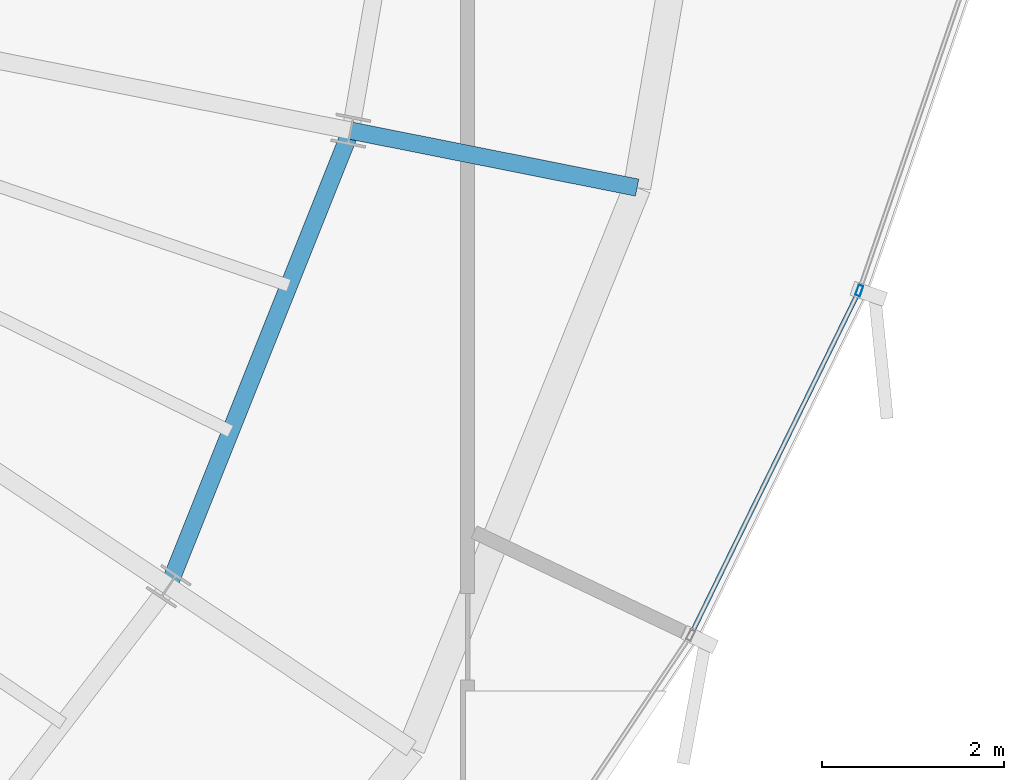
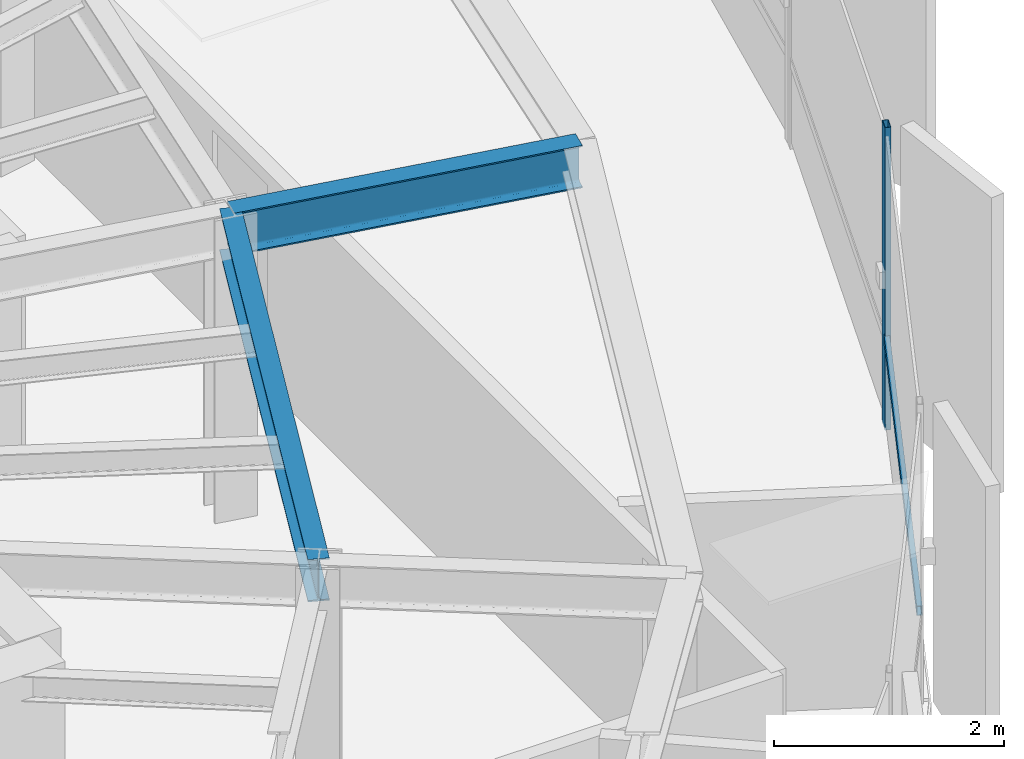
# One storey, part 14 of 35: 2 beams, 2 members, 1 element without a shape of its own.
"""IFC4 building model written with IfcOpenShell, lengths in metres."""

from ifc_helpers import new_model, si_unit, direction, frame, origin, origin_2d, place, context, subcontext, project, spatial, hollow_rectangle, i_section, extrude, source, transform, mapped, material, layer, layer_set, material_profile, profile_set, type_object, element, aggregate, save


model = new_model("IFC4")

# Units and contexts
model_context = context("Model", 3, precision=1e-05, world=origin(), true_north=direction((0.0, 1.0)))
body_context = subcontext(model_context, "Body", "Model", "MODEL_VIEW")
ifc_project = project(units=[si_unit("LENGTHUNIT", "METRE"), si_unit("AREAUNIT", "SQUARE_METRE"), si_unit("VOLUMEUNIT", "CUBIC_METRE"), si_unit("PLANEANGLEUNIT", "RADIAN"), si_unit("MASSUNIT", "GRAM", prefix="KILO"), si_unit("THERMODYNAMICTEMPERATUREUNIT", "KELVIN")], contexts=[model_context])

# Site, building, storey
site_placement = place(None, origin())
site = spatial("IfcSite", under=ifc_project, at=site_placement, CompositionType="ELEMENT")
building_placement = place(site_placement, origin())
building = spatial("IfcBuilding", under=site, at=building_placement, Name="Kethvar Cultural Tower", CompositionType="ELEMENT")
storey_placement = place(building_placement, frame((0.0, 0.0, 245.64990234375)))
storey = spatial("IfcBuildingStorey", under=building, at=storey_placement, Name="L64", CompositionType="ELEMENT", Elevation=245.64990234375)

# Beams
ifc_material_1 = material(Name="Steel S355J2", Category="steel")
ifc_material_profile_1 = material_profile(ifc_material_1, i_section(OverallWidth=0.18994140625, OverallDepth=0.449951171875, WebThickness=0.009521484375, FlangeThickness=0.0146484375, FilletRadius=0.02099609375, at=origin_2d()), Name="Steel S355J2 — IPE450")
ifc_profile_set_1 = profile_set([ifc_material_profile_1], Name="Steel S355J2 — IPE450")
beam_type = type_object("IfcBeamType", Name="BM-IPE450", PredefinedType="BEAM", material=ifc_profile_set_1)
shared_shape_1 = source(origin(), body_context, "Body", "SweptSolid", [
    extrude(i_section(OverallWidth=0.18994140625, OverallDepth=0.449951171875, WebThickness=0.009521484375, FlangeThickness=0.0146484375, FilletRadius=0.02099609375, at=origin_2d()), origin(), (0.0, 0.0, 1.0), 3.199951171875),
])
beam_1_placement = place(storey_placement, frame((60.28369140625, 25.117919921875, 2.983154296875), z_axis=(0.980785550224, -0.195088965533, 0.0), x_axis=(0.195088965533, 0.980785550224, 0.0)))
element("IfcBeam", 1, at=beam_1_placement, inside=storey, type_object=beam_type, Name="L64 Perimeter Cantilever Beam RC-16", PredefinedType="BEAM", context=body_context, shape_type="MappedRepresentation", body=[
    mapped(shared_shape_1, transform((0.0, 0.0, 0.0), scale=1.0)),
])
shared_shape_2 = source(origin(), body_context, "Body", "SweptSolid", [
    extrude(i_section(OverallWidth=0.18994140625, OverallDepth=0.449951171875, WebThickness=0.009521484375, FlangeThickness=0.0146484375, FilletRadius=0.02099609375, at=origin_2d()), origin(), (0.0, 0.0, 1.0), 5.377685546875),
])
beam_2_placement = place(storey_placement, frame((58.287109375, 20.12451171875, 2.983154296875), z_axis=(0.371265436914, 0.928526776864, 0.0), x_axis=(-0.928526776864, 0.371265436914, 0.0)))
element("IfcBeam", 2, at=beam_2_placement, inside=storey, type_object=beam_type, Name="L64 Column Ring Tie Beam CR-15", PredefinedType="BEAM", context=body_context, shape_type="MappedRepresentation", body=[
    mapped(shared_shape_2, transform((0.0, 0.0, 0.0), scale=1.0)),
])

# Curtain wall, members
ifc_material_2 = material(Name="Aluminium 6063-T6", Category="aluminium")
ifc_layer = layer(ifc_material_2, 0.179931640625, Name="Aluminium 6063-T6", Category="aluminium")
ifc_layer_set = layer_set([ifc_layer], Name="Aluminium 6063-T6 (180 mm)")
curtain_wall_type = type_object("IfcCurtainWallType", Name="CW-SYS-05-Z56", PredefinedType="NOTDEFINED", material=ifc_layer_set)
curtain_wall_placement = place(storey_placement, origin())
curtain_wall = element("IfcCurtainWall", 3, at=curtain_wall_placement, inside=storey, type_object=curtain_wall_type, Name="L64 Curtain Wall Run 05", PredefinedType="NOTDEFINED")
ifc_material_profile_2 = material_profile(ifc_material_2, hollow_rectangle(XDim=0.054931640625, YDim=0.1201171875, WallThickness=0.00390625, at=origin_2d()), Name="Aluminium 6063-T6 — RHS120x55x4")
ifc_profile_set_2 = profile_set([ifc_material_profile_2], Name="Aluminium 6063-T6 — RHS120x55x4")
member_type_1 = type_object("IfcMemberType", Name="CW-SYS-05-Z56-MUL", PredefinedType="MULLION", material=ifc_profile_set_2)
shared_shape_3 = source(origin(), body_context, "Body", "SweptSolid", [
    extrude(hollow_rectangle(XDim=0.054931640625, YDim=0.1201171875, WallThickness=0.00390625, at=origin_2d()), origin(), (0.0, 0.0, 1.0), 3.210205078125),
])
member_1_placement = place(storey_placement, frame((65.857421875, 23.36474609375, 0.0), z_axis=(0.0, 0.0, 1.0), x_axis=(-0.945926949949, 0.324379724027, 0.0)))
member_1 = element("IfcMember", 4, at=member_1_placement, type_object=member_type_1, Name="CW-L64-R05 Mullion 6", PredefinedType="MULLION", context=body_context, shape_type="MappedRepresentation", body=[
    mapped(shared_shape_3, transform((0.0, 0.0, 0.0), scale=1.0)),
])
ifc_material_profile_3 = material_profile(ifc_material_2, hollow_rectangle(XDim=0.050048828125, YDim=0.10009765625, WallThickness=0.00390625, at=origin_2d()), Name="Aluminium 6063-T6 — RHS100x50x4")
ifc_profile_set_3 = profile_set([ifc_material_profile_3], Name="Aluminium 6063-T6 — RHS100x50x4")
member_type_2 = type_object("IfcMemberType", Name="CW-SYS-05-Z56-TRN", PredefinedType="USERDEFINED", material=ifc_profile_set_3)
shared_shape_4 = source(origin(), body_context, "Body", "SweptSolid", [
    extrude(hollow_rectangle(XDim=0.050048828125, YDim=0.10009765625, WallThickness=0.00390625, at=origin_2d()), origin(), (0.0, 0.0, 1.0), 4.138671875),
])
member_2_placement = place(storey_placement, frame((64.026611328125, 19.623046875, 0.9501953125), z_axis=(0.439362481016, 0.898309863174, 0.0), x_axis=(-0.898309863174, 0.439362481016, 0.0)))
member_2 = element("IfcMember", 5, at=member_2_placement, type_object=member_type_2, Name="CW-L64-R05 Transom 5", ObjectType="TRANSOM", PredefinedType="USERDEFINED", context=body_context, shape_type="MappedRepresentation", body=[
    mapped(shared_shape_4, transform((0.0, 0.0, 0.0), scale=1.0)),
])
aggregate(curtain_wall, [member_1, member_2])

save(model, "model.ifc")
